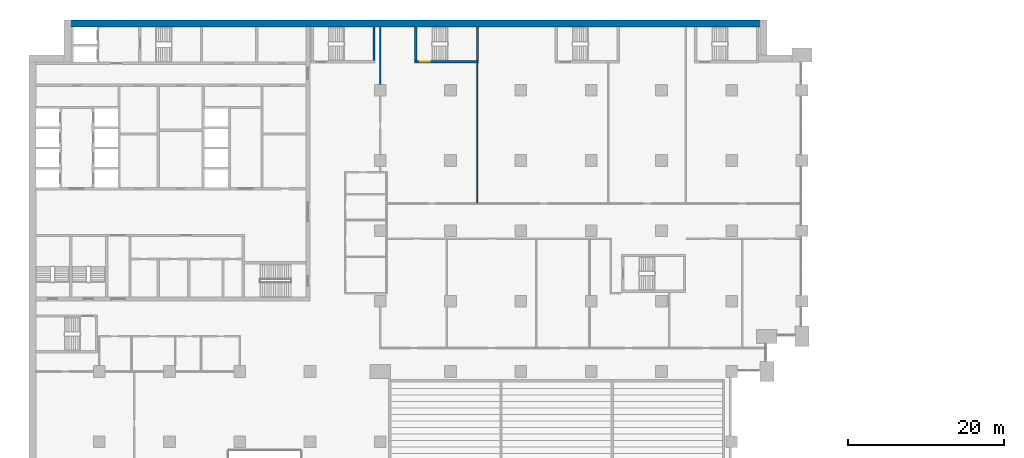
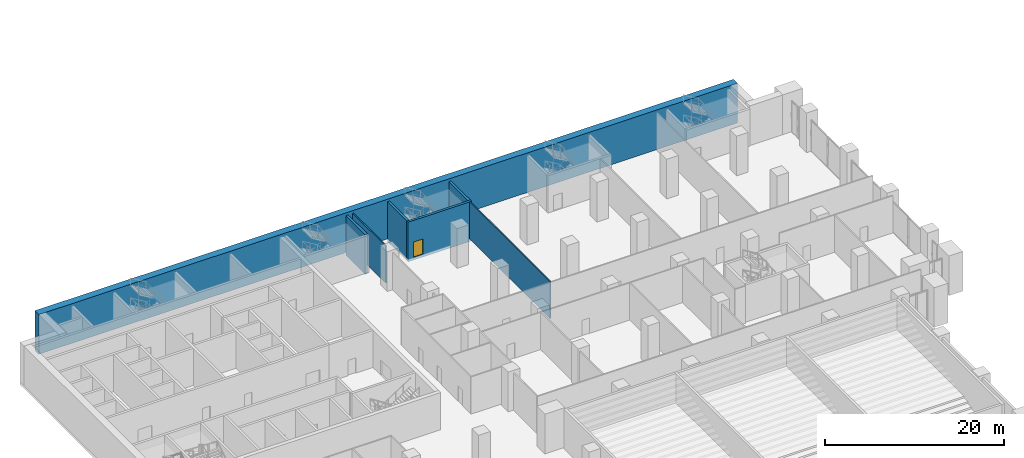
# One storey, part 20 of 44: 7 walls, 1 door, 1 opening.
"""IFC4 building model written with IfcOpenShell, lengths in metres."""

from ifc_helpers import new_model, si_unit, direction, frame, frame_2d, origin, place, context, subcontext, project, spatial, rectangle, extrude, material, layer, layer_set, type_object, element, fill, save


model = new_model("IFC4")

# Units and contexts
model_context = context("Model", 3, precision=1e-05, world=origin(), true_north=direction((0.0, 1.0)))
body_context = subcontext(model_context, "Body", "Model", "MODEL_VIEW")
ifc_project = project(units=[si_unit("LENGTHUNIT", "METRE"), si_unit("AREAUNIT", "SQUARE_METRE"), si_unit("VOLUMEUNIT", "CUBIC_METRE"), si_unit("PLANEANGLEUNIT", "RADIAN"), si_unit("MASSUNIT", "GRAM", prefix="KILO")], contexts=[model_context])

# Site, building, storey
site_placement = place(None, origin())
site = spatial("IfcSite", under=ifc_project, at=site_placement, CompositionType="ELEMENT")
building_placement = place(site_placement, origin())
building = spatial("IfcBuilding", under=site, at=building_placement, Name="Hunhe Ridgeline Campus", CompositionType="ELEMENT")
storey_placement = place(building_placement, frame((0.0, 0.0, 6.0)))
storey = spatial("IfcBuildingStorey", under=building, at=storey_placement, Name="L01", CompositionType="ELEMENT", Elevation=6.0)

# Walls
ifc_material_1 = material(Name="Plastered blockwork", Category="masonry")
ifc_layer_1 = layer(ifc_material_1, 0.14990234375)
ifc_layer_set_1 = layer_set([ifc_layer_1], Name="Blockwork partition 150")
wall_type_1 = type_object("IfcWallType", Name="Blockwork partition 150", PredefinedType="PARTITIONING", material=ifc_layer_set_1)
wall_1_placement = place(storey_placement, frame((45.0, 90.75, 0.0), z_axis=(0.0, 0.0, 1.0), x_axis=(0.0, 1.0, 0.0)))
element("IfcWall", 1, at=wall_1_placement, inside=storey, type_object=wall_type_1, Name="L01 partition", PredefinedType="PARTITIONING", context=body_context, shape_type="SweptSolid", body=[
    extrude(rectangle(XDim=7.35009765625, YDim=0.14990234375, at=frame_2d((3.675048828125, 0.0))), origin(), (0.0, 0.0, 1.0), 5.050048828125),
])
wall_2_placement = place(storey_placement, frame((57.4140625, 75.574951171875, 0.0), z_axis=(0.0, 0.0, 1.0), x_axis=(0.0, 1.0, 0.0)))
element("IfcWall", 2, at=wall_2_placement, inside=storey, type_object=wall_type_1, Name="L01 partition", PredefinedType="PARTITIONING", context=body_context, shape_type="SweptSolid", body=[
    extrude(rectangle(XDim=17.925048828125, YDim=0.14990234375, at=frame_2d((8.96240234375, 0.0))), origin(), (0.0, 0.0, 1.0), 5.050048828125),
])
ifc_material_2 = material(Name="Concrete C80", Category="concrete")
ifc_layer_2 = layer(ifc_material_2, 0.89990234375)
ifc_layer_set_2 = layer_set([ifc_layer_2], Name="Spine wall 900 Concrete C80")
wall_type_2 = type_object("IfcWallType", Name="Spine wall 900 Concrete C80", PredefinedType="SHEAR", material=ifc_layer_set_2)
wall_3_placement = place(storey_placement, frame((94.5, 98.550048828125, 0.0), z_axis=(0.0, 0.0, 1.0), x_axis=(-1.0, 0.0, 0.0)))
element("IfcWall", 3, at=wall_3_placement, inside=storey, type_object=wall_type_2, Name="Spine wall SW1-4 L01", PredefinedType="SHEAR", context=body_context, shape_type="SweptSolid", body=[
    extrude(rectangle(XDim=90.0, YDim=0.89990234375, at=frame_2d((45.0, 0.0))), origin(), (0.0, 0.0, 1.0), 5.39990234375),
])

# Wall, opening, door
ifc_layer_3 = layer(ifc_material_2, 0.300048828125)
ifc_layer_set_3 = layer_set([ifc_layer_3], Name="Stair wall 300 reinforced concrete C80")
wall_type_3 = type_object("IfcWallType", Name="Stair wall 300 reinforced concrete C80", PredefinedType="SOLIDWALL", material=ifc_layer_set_3)
wall_4_placement = place(storey_placement, frame((49.39990234375, 93.64990234375, -0.35009765625), z_axis=(0.0, 0.0, 1.0), x_axis=(1.0, 0.0, 0.0)))
wall_4 = element("IfcWall", 4, at=wall_4_placement, inside=storey, type_object=wall_type_3, Name="L01 core wall 33", PredefinedType="SOLIDWALL", context=body_context, shape_type="SweptSolid", body=[
    extrude(rectangle(XDim=8.2001953125, YDim=0.300048828125, at=frame_2d((4.10009765625, 0.0))), origin(), (0.0, 0.0, 1.0), 5.400146484375),
])
opening_placement = place(wall_4_placement, frame((0.699951171875, 0.0, 0.35009765625)))
opening = element("IfcOpeningElement", 5, at=opening_placement, cuts=wall_4, Name="Opening CD18", PredefinedType="OPENING", context=body_context, shape_type="SweptSolid", body=[
    extrude(rectangle(XDim=1.199951171875, YDim=2.10009765625, at=frame_2d((0.60009765625, 1.050048828125))), frame((0.0, 0.14990234375, 0.0), z_axis=(0.0, -1.0, 0.0), x_axis=(1.0, 0.0, 0.0)), (0.0, 0.0, 1.0), 0.300048828125),
])
ifc_material_3 = material(Name="Hollow metal fire door leaf")
door_type = type_object("IfcDoorType", Name="Stair door 1200x2100 FD60", OperationType="SINGLE_SWING_LEFT", PredefinedType="DOOR", material=ifc_material_3)
door_placement = place(opening_placement, frame((1.199951171875, 0.0, 0.0), z_axis=(0.0, 0.0, 1.0), x_axis=(-1.0, 0.0, 0.0)))
door = element("IfcDoor", 6, at=door_placement, inside=storey, type_object=door_type, Name="L01 door E2", OperationType="SINGLE_SWING_LEFT", OverallHeight=2.10009765625, OverallWidth=1.199951171875, PredefinedType="DOOR", context=body_context, shape_type="SweptSolid", body=[
    extrude(rectangle(XDim=1.199951171875, YDim=2.10009765625, at=frame_2d((0.60009765625, 1.050048828125))), frame((0.0, 0.02490234375, 0.0), z_axis=(0.0, -1.0, 0.0), x_axis=(1.0, 0.0, 0.0)), (0.0, 0.0, 1.0), 0.050048828125),
])
fill(opening, door)

# Walls
for number, where, z_axis, x_axis, name in (
    (7, (44.199951171875, 93.800048828125, -0.35009765625), (0.0, 0.0, 1.0), (0.0, 1.0, 0.0), "L01 core wall 66"),
    (8, (49.550048828125, 93.800048828125, -0.35009765625), (0.0, 0.0, 1.0), (0.0, 1.0, 0.0), "L01 core wall 67"),
    (9, (57.449951171875, 93.800048828125, -0.35009765625), (0.0, 0.0, 1.0), (0.0, 1.0, 0.0), "L01 core wall 68"),
):
    element("IfcWall", number, at=place(storey_placement, frame(where, z_axis=z_axis, x_axis=x_axis)), inside=storey, type_object=wall_type_3, Name=name, PredefinedType="SOLIDWALL", context=body_context, shape_type="SweptSolid", body=[
        extrude(rectangle(XDim=4.300048828125, YDim=0.300048828125, at=frame_2d((2.14990234375, 0.0))), origin(), (0.0, 0.0, 1.0), 5.400146484375),
    ])

save(model, "model.ifc")
